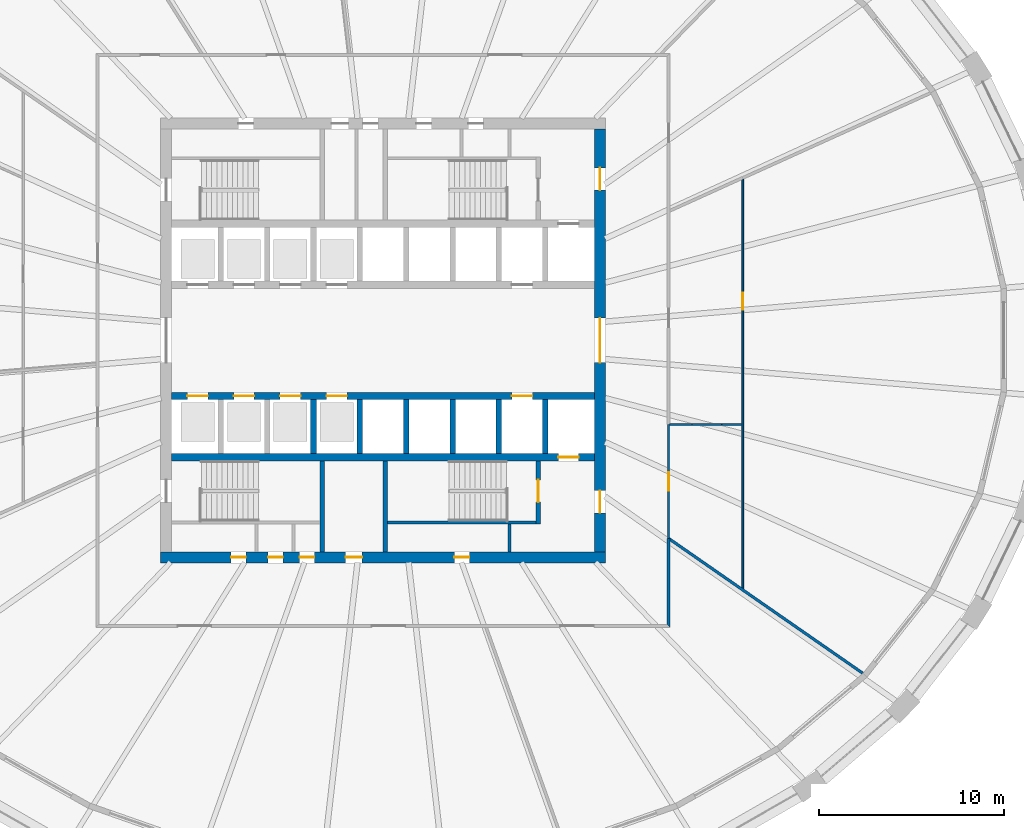
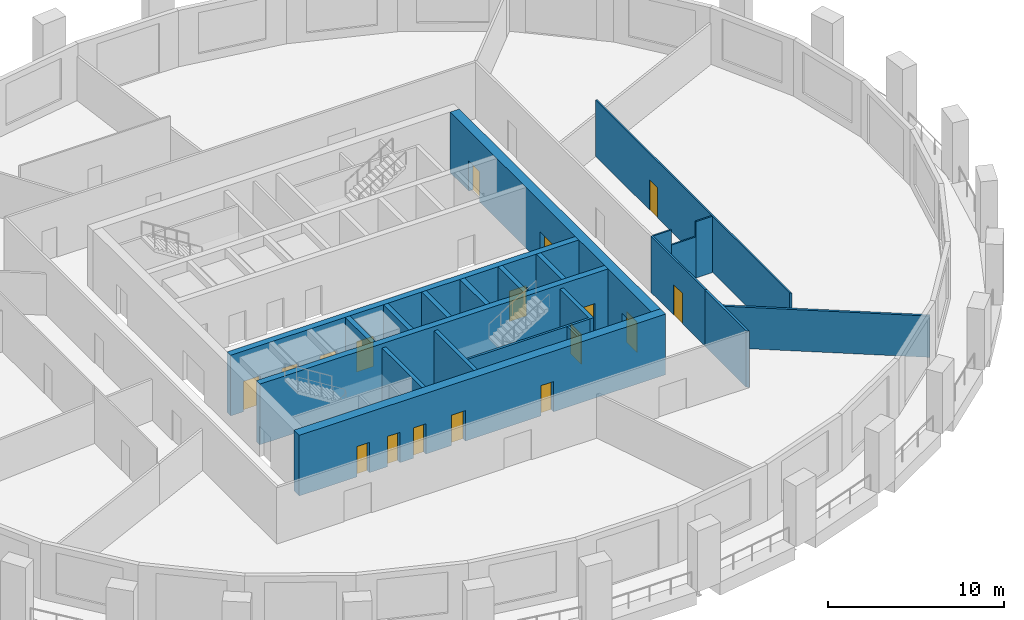
# One storey, part 4 of 10: 22 walls, 17 doors, 17 openings.
"""IFC4 building model written with IfcOpenShell, lengths in metres."""

from ifc_helpers import new_model, si_unit, direction, frame, frame_2d, origin, place, context, subcontext, project, spatial, polyline, rectangle, outline, extrude, material, layer, layer_set, type_object, element, fill, save


model = new_model("IFC4")

# Units and contexts
model_context = context("Model", 3, precision=1e-05, world=origin(), true_north=direction((0.0, 1.0)))
body_context = subcontext(model_context, "Body", "Model", "MODEL_VIEW")
ifc_project = project(units=[si_unit("LENGTHUNIT", "METRE"), si_unit("AREAUNIT", "SQUARE_METRE"), si_unit("VOLUMEUNIT", "CUBIC_METRE"), si_unit("PLANEANGLEUNIT", "RADIAN"), si_unit("MASSUNIT", "GRAM", prefix="KILO")], contexts=[model_context])

# Site, building, storey
site_placement = place(None, origin())
site = spatial("IfcSite", under=ifc_project, at=site_placement, CompositionType="ELEMENT")
building_placement = place(site_placement, origin())
building = spatial("IfcBuilding", under=site, at=building_placement, Name="Halqa Exchange Tower", CompositionType="ELEMENT")
storey_placement = place(building_placement, frame((0.0, 0.0, 90.699951171875)))
storey = spatial("IfcBuildingStorey", under=building, at=storey_placement, Name="L20", CompositionType="ELEMENT", Elevation=90.699951171875)

# Walls
ifc_material_1 = material(Name="Fire-rated gypsum board")
ifc_layer_1 = layer(ifc_material_1, 0.14990234375)
ifc_layer_set_1 = layer_set([ifc_layer_1], Name="Fire-rated gypsum board")
wall_type_1 = type_object("IfcWallType", Name="Fire partition EI 60 150", PredefinedType="PARTITIONING", material=ifc_layer_set_1)
wall_1_placement = place(storey_placement, frame((15.39990234375, -10.679931640625, 0.0), z_axis=(0.0, 0.0, 1.0), x_axis=(0.0, -1.0, 0.0)))
element("IfcWall", 1, at=wall_1_placement, inside=storey, type_object=wall_type_1, Name="L20-PWL-016", PredefinedType="PARTITIONING", context=body_context, shape_type="SweptSolid", body=[
    extrude(outline(polyline([(0.0, -0.074951171875), (1.54833984375, -0.074951171875), (3.0966796875, -0.074951171875), (4.64501953125, -0.074951171875), (4.794921875, 0.074951171875), (3.196533203125, 0.074951171875), (1.598388671875, 0.074951171875), (0.0, 0.074951171875), (0.0, -0.074951171875)])), origin(), (0.0, 0.0, 1.0), 3.900146484375),
])
wall_2_placement = place(storey_placement, frame((15.417724609375, -10.6923828125, 0.0), z_axis=(0.0, 0.0, 1.0), x_axis=(0.821423906774, -0.57031812647, 0.0)))
element("IfcWall", 2, at=wall_2_placement, inside=storey, type_object=wall_type_1, Name="L20-PWL-017", PredefinedType="PARTITIONING", context=body_context, shape_type="SweptSolid", body=[
    extrude(outline(polyline([(0.121826171875, -0.074951171875), (1.921875, -0.074951171875), (3.721923828125, -0.074951171875), (5.52197265625, -0.074951171875), (7.322021484375, -0.074951171875), (9.1220703125, -0.074951171875), (10.922119140625, -0.074951171875), (12.721923828125, -0.074951171875), (12.72216796875, -0.074462890625), (12.72216796875, 0.074951171875), (10.72705078125, 0.074951171875), (8.73193359375, 0.074951171875), (6.736572265625, 0.074951171875), (4.741455078125, 0.074951171875), (4.7373046875, 0.072021484375), (4.735107421875, 0.074951171875), (3.15673828125, 0.074951171875), (1.578369140625, 0.074951171875), (0.0, 0.074951171875), (0.0, 0.07421875), (0.027587890625, 0.0341796875), (0.0400390625, 0.042724609375), (0.121826171875, -0.074951171875)])), origin(), (0.0, 0.0, 1.0), 2.860107421875),
])

# Wall, opening, door
ifc_material_2 = material(Name="Fire-rated glazing", Category="glass")
ifc_layer_2 = layer(ifc_material_2, 0.1201171875)
ifc_layer_set_2 = layer_set([ifc_layer_2], Name="Fire-rated glazing")
wall_type_2 = type_object("IfcWallType", Name="Glazed fire partition EI 60 120", PredefinedType="PARTITIONING", material=ifc_layer_set_2)
wall_3_placement = place(storey_placement, frame((15.39990234375, -4.5400390625, 0.0), z_axis=(0.0, 0.0, 1.0), x_axis=(0.0, -1.0, 0.0)))
wall_3 = element("IfcWall", 3, at=wall_3_placement, inside=storey, type_object=wall_type_2, Name="L20-PWL-018", PredefinedType="PARTITIONING", context=body_context, shape_type="SweptSolid", body=[
    extrude(rectangle(XDim=6.139892578125, YDim=0.1201171875, at=frame_2d((3.06982421875, 0.0))), origin(), (0.0, 0.0, 1.0), 3.900146484375),
])
opening_1_placement = place(wall_3_placement, frame((2.570068359375, 0.0, 0.0)))
opening_1 = element("IfcOpeningElement", 4, at=opening_1_placement, cuts=wall_3, Name="Opening 06-01", PredefinedType="OPENING", context=body_context, shape_type="SweptSolid", body=[
    extrude(rectangle(XDim=1.0, YDim=2.10009765625, at=frame_2d((0.5, 1.050048828125))), frame((0.0, 0.072021484375, 0.0), z_axis=(0.0, -1.0, 0.0), x_axis=(1.0, 0.0, 0.0)), (0.0, 0.0, 1.0), 0.14404296875),
])
ifc_material_3 = material(Name="Steel fire door leaf", Category="steel")
door_type_1 = type_object("IfcDoorType", Name="Fire door FD30S 1000 x 2100", OperationType="SINGLE_SWING_LEFT", PredefinedType="DOOR", material=ifc_material_3)
door_1_placement = place(opening_1_placement, origin())
door_1 = element("IfcDoor", 5, at=door_1_placement, inside=storey, type_object=door_type_1, Name="L20-IDR-001", OperationType="SINGLE_SWING_RIGHT", OverallHeight=2.10009765625, OverallWidth=1.0, PredefinedType="DOOR", context=body_context, shape_type="SweptSolid", body=[
    extrude(rectangle(XDim=1.0, YDim=2.10009765625, at=frame_2d((0.5, 1.050048828125))), frame((0.0, 0.02490234375, 0.0), z_axis=(0.0, -1.0, 0.0), x_axis=(1.0, 0.0, 0.0)), (0.0, 0.0, 1.0), 0.050048828125),
])
fill(opening_1, door_1)

# Wall
ifc_material_4 = material(Name="Gypsum board")
ifc_layer_3 = layer(ifc_material_4, 0.10009765625)
ifc_layer_set_3 = layer_set([ifc_layer_3], Name="Gypsum board")
wall_type_3 = type_object("IfcWallType", Name="Partition 100 gypsum", PredefinedType="PARTITIONING", material=ifc_layer_set_3)
wall_4_placement = place(storey_placement, frame((15.46044921875, -4.5400390625, 0.0), z_axis=(0.0, 0.0, 1.0), x_axis=(1.0, 0.0, 0.0)))
element("IfcWall", 6, at=wall_4_placement, inside=storey, type_object=wall_type_3, Name="L20-PWL-020", PredefinedType="PARTITIONING", context=body_context, shape_type="SweptSolid", body=[
    extrude(outline(polyline([(1.191650390625, 0.050048828125), (0.0146484375, 0.050048828125), (0.0146484375, 0.0), (0.0, 0.0), (0.0, -0.050048828125), (1.191650390625, -0.050048828125), (1.191650390625, 0.050048828125)])), origin(), (0.0, 0.0, 1.0), 3.900146484375),
])

# Wall, opening, door
wall_5_placement = place(storey_placement, frame((19.39990234375, -13.400390625, 0.0), z_axis=(0.0, 0.0, 1.0), x_axis=(0.0, 1.0, 0.0)))
wall_5 = element("IfcWall", 7, at=wall_5_placement, inside=storey, type_object=wall_type_3, Name="L20-PWL-022", PredefinedType="PARTITIONING", context=body_context, shape_type="SweptSolid", body=[
    extrude(outline(polyline([(22.100341796875, -0.050048828125), (22.100341796875, -0.04931640625), (22.093994140625, -0.03564453125), (22.100341796875, -0.03271484375), (22.100341796875, -0.027099609375), (22.0654296875, 0.050048828125), (20.18603515625, 0.050048828125), (18.306884765625, 0.050048828125), (16.427490234375, 0.050048828125), (14.54833984375, 0.050048828125), (12.6689453125, 0.050048828125), (10.789794921875, 0.050048828125), (8.910400390625, 0.050048828125), (8.910400390625, 0.0498046875), (8.810302734375, 0.0498046875), (8.810302734375, 0.050048828125), (7.062255859375, 0.050048828125), (5.31396484375, 0.050048828125), (3.565673828125, 0.050048828125), (1.8173828125, 0.050048828125), (0.069091796875, 0.050048828125), (0.0, -0.049560546875), (0.0, -0.050048828125), (1.841796875, -0.050048828125), (3.683349609375, -0.050048828125), (5.525146484375, -0.050048828125), (7.36669921875, -0.050048828125), (9.20849609375, -0.050048828125), (11.05029296875, -0.050048828125), (12.891845703125, -0.050048828125), (14.733642578125, -0.050048828125), (16.5751953125, -0.050048828125), (18.4169921875, -0.050048828125), (20.258544921875, -0.050048828125), (22.100341796875, -0.050048828125)])), origin(), (0.0, 0.0, 1.0), 3.900146484375),
])
opening_2_placement = place(wall_5_placement, frame((15.060546875, 0.0, 0.0)))
opening_2 = element("IfcOpeningElement", 8, at=opening_2_placement, cuts=wall_5, Name="Opening 06-12", PredefinedType="OPENING", context=body_context, shape_type="SweptSolid", body=[
    extrude(rectangle(XDim=0.89990234375, YDim=2.10009765625, at=frame_2d((0.449951171875, 1.050048828125))), frame((0.0, 0.06201171875, 0.0), z_axis=(0.0, -1.0, 0.0), x_axis=(1.0, 0.0, 0.0)), (0.0, 0.0, 1.0), 0.1240234375),
])
ifc_material_5 = material(Name="Timber door leaf", Category="wood")
door_type_2 = type_object("IfcDoorType", Name="Door 900 x 2100", OperationType="SINGLE_SWING_LEFT", PredefinedType="DOOR", material=ifc_material_5)
door_2_placement = place(opening_2_placement, origin())
door_2 = element("IfcDoor", 9, at=door_2_placement, inside=storey, type_object=door_type_2, Name="L20-IDR-012", OperationType="SINGLE_SWING_LEFT", OverallHeight=2.10009765625, OverallWidth=0.89990234375, PredefinedType="DOOR", context=body_context, shape_type="SweptSolid", body=[
    extrude(rectangle(XDim=0.89990234375, YDim=2.10009765625, at=frame_2d((0.449951171875, 1.050048828125))), frame((0.0, 0.02490234375, 0.0), z_axis=(0.0, -1.0, 0.0), x_axis=(1.0, 0.0, 0.0)), (0.0, 0.0, 1.0), 0.050048828125),
])
fill(opening_2, door_2)

# Walls
wall_6_placement = place(storey_placement, frame((16.652099609375, -4.5400390625, 0.0), z_axis=(0.0, 0.0, 1.0), x_axis=(1.0, 0.0, 0.0)))
element("IfcWall", 10, at=wall_6_placement, inside=storey, type_object=wall_type_3, Name="L20-PWL-025", PredefinedType="PARTITIONING", context=body_context, shape_type="SweptSolid", body=[
    extrude(outline(polyline([(0.0, 0.050048828125), (0.0, -0.050048828125), (1.616943359375, -0.050048828125), (1.616943359375, 0.050048828125), (0.0, 0.050048828125)])), origin(), (0.0, 0.0, 1.0), 2.85009765625),
])
wall_7_placement = place(storey_placement, frame((18.26904296875, -4.5400390625, 0.0), z_axis=(0.0, 0.0, 1.0), x_axis=(1.0, 0.0, 0.0)))
element("IfcWall", 11, at=wall_7_placement, inside=storey, type_object=wall_type_3, Name="L20-PWL-026", PredefinedType="PARTITIONING", context=body_context, shape_type="SweptSolid", body=[
    extrude(outline(polyline([(0.0, -0.050048828125), (1.0810546875, -0.050048828125), (1.0810546875, 0.050048828125), (0.0, 0.050048828125), (0.0, -0.050048828125)])), origin(), (0.0, 0.0, 1.0), 3.900146484375),
])
ifc_layer_4 = layer(ifc_material_4, 0.14990234375)
ifc_layer_set_4 = layer_set([ifc_layer_4], Name="Gypsum board")
wall_type_4 = type_object("IfcWallType", Name="Penthouse riser wall 150 gypsum", PredefinedType="PARTITIONING", material=ifc_layer_set_4)
wall_8_placement = place(storey_placement, frame((6.824951171875, -11.39990234375, 0.0), z_axis=(0.0, 0.0, 1.0), x_axis=(0.0, 1.0, 0.0)))
element("IfcWall", 12, at=wall_8_placement, inside=storey, type_object=wall_type_4, Name="Firefighting lobby west wall S", PredefinedType="PARTITIONING", context=body_context, shape_type="SweptSolid", body=[
    extrude(rectangle(XDim=1.5, YDim=0.14990234375, at=frame_2d((0.75, 0.0))), origin(), (0.0, 0.0, 1.0), 3.900146484375),
])
ifc_material_6 = material(Name="Concrete C60/75", Category="concrete")
ifc_layer_5 = layer(ifc_material_6, 0.300048828125)
ifc_layer_set_5 = layer_set([ifc_layer_5], Name="Concrete C60/75")
wall_type_5 = type_object("IfcWallType", Name="RC core wall 300", PredefinedType="SHEAR", material=ifc_layer_set_5)
for number, where, z_axis, x_axis, name in (
    (13, (-3.75, -6.10009765625, 0.0), (0.0, 0.0, 1.0), (0.0, 1.0, 0.0), "Shaft divider S3"),
    (14, (-1.25, -6.10009765625, 0.0), (0.0, 0.0, 1.0), (0.0, 1.0, 0.0), "Shaft divider S4"),
    (15, (1.25, -6.10009765625, 0.0), (0.0, 0.0, 1.0), (0.0, 1.0, 0.0), "Shaft divider S5"),
    (16, (3.75, -6.10009765625, 0.0), (0.0, 0.0, 1.0), (0.0, 1.0, 0.0), "Shaft divider S6"),
    (17, (6.25, -6.10009765625, 0.0), (0.0, 0.0, 1.0), (0.0, 1.0, 0.0), "Shaft divider S7"),
    (18, (8.75, -6.10009765625, 0.0), (0.0, 0.0, 1.0), (0.0, 1.0, 0.0), "Shaft divider S8"),
):
    element("IfcWall", number, at=place(storey_placement, frame(where, z_axis=z_axis, x_axis=x_axis)), inside=storey, type_object=wall_type_5, Name=name, PredefinedType="SHEAR", context=body_context, shape_type="SweptSolid", body=[
        extrude(rectangle(XDim=2.900146484375, YDim=0.300048828125, at=frame_2d((1.4501953125, 0.0))), origin(), (0.0, 0.0, 1.0), 4.199951171875),
    ])

# Wall, openings, doors
ifc_material_7 = material(Name="Concrete C80/95", Category="concrete")
ifc_layer_6 = layer(ifc_material_7, 0.39990234375)
ifc_layer_set_6 = layer_set([ifc_layer_6], Name="Concrete C80/95")
wall_type_6 = type_object("IfcWallType", Name="RC core wall 400 C80/95", PredefinedType="SHEAR", material=ifc_layer_set_6)
wall_9_placement = place(storey_placement, frame((-11.39990234375, -3.0, 0.0), z_axis=(0.0, 0.0, 1.0), x_axis=(1.0, 0.0, 0.0)))
wall_9 = element("IfcWall", 19, at=wall_9_placement, inside=storey, type_object=wall_type_6, Name="Lift row front wall S", PredefinedType="SHEAR", context=body_context, shape_type="SweptSolid", body=[
    extrude(rectangle(XDim=22.7998046875, YDim=0.39990234375, at=frame_2d((11.39990234375, 0.0))), origin(), (0.0, 0.0, 1.0), 4.199951171875),
])
opening_3_placement = place(wall_9_placement, frame((0.85009765625, 0.0, 0.0)))
opening_3 = element("IfcOpeningElement", 20, at=opening_3_placement, cuts=wall_9, Name="Opening LD-LR5-T06", PredefinedType="OPENING", context=body_context, shape_type="SweptSolid", body=[
    extrude(rectangle(XDim=1.10009765625, YDim=2.10009765625, at=frame_2d((0.550048828125, 1.050048828125))), frame((0.0, 0.2119140625, 0.0), z_axis=(0.0, -1.0, 0.0), x_axis=(1.0, 0.0, 0.0)), (0.0, 0.0, 1.0), 0.423828125),
])
opening_4_placement = place(wall_9_placement, frame((3.35009765625, 0.0, 0.0)))
opening_4 = element("IfcOpeningElement", 21, at=opening_4_placement, cuts=wall_9, Name="Opening LD-LR6-T06", PredefinedType="OPENING", context=body_context, shape_type="SweptSolid", body=[
    extrude(rectangle(XDim=1.10009765625, YDim=2.10009765625, at=frame_2d((0.550048828125, 1.050048828125))), frame((0.0, 0.2119140625, 0.0), z_axis=(0.0, -1.0, 0.0), x_axis=(1.0, 0.0, 0.0)), (0.0, 0.0, 1.0), 0.423828125),
])
opening_5_placement = place(wall_9_placement, frame((5.85009765625, 0.0, 0.0)))
opening_5 = element("IfcOpeningElement", 22, at=opening_5_placement, cuts=wall_9, Name="Opening LD-LR7-T06", PredefinedType="OPENING", context=body_context, shape_type="SweptSolid", body=[
    extrude(rectangle(XDim=1.10009765625, YDim=2.10009765625, at=frame_2d((0.550048828125, 1.050048828125))), frame((0.0, 0.2119140625, 0.0), z_axis=(0.0, -1.0, 0.0), x_axis=(1.0, 0.0, 0.0)), (0.0, 0.0, 1.0), 0.423828125),
])
opening_6_placement = place(wall_9_placement, frame((8.35009765625, 0.0, 0.0)))
opening_6 = element("IfcOpeningElement", 23, at=opening_6_placement, cuts=wall_9, Name="Opening LD-LR8-T06", PredefinedType="OPENING", context=body_context, shape_type="SweptSolid", body=[
    extrude(rectangle(XDim=1.10009765625, YDim=2.10009765625, at=frame_2d((0.550048828125, 1.050048828125))), frame((0.0, 0.2119140625, 0.0), z_axis=(0.0, -1.0, 0.0), x_axis=(1.0, 0.0, 0.0)), (0.0, 0.0, 1.0), 0.423828125),
])
opening_7_placement = place(wall_9_placement, frame((18.35009765625, 0.0, 0.0)))
opening_7 = element("IfcOpeningElement", 24, at=opening_7_placement, cuts=wall_9, Name="Opening LD-SV2-T06", PredefinedType="OPENING", context=body_context, shape_type="SweptSolid", body=[
    extrude(rectangle(XDim=1.10009765625, YDim=2.10009765625, at=frame_2d((0.550048828125, 1.050048828125))), frame((0.0, 0.2119140625, 0.0), z_axis=(0.0, -1.0, 0.0), x_axis=(1.0, 0.0, 0.0)), (0.0, 0.0, 1.0), 0.423828125),
])
ifc_material_8 = material(Name="Stainless steel", Category="steel")
door_type_3 = type_object("IfcDoorType", Name="Lift landing door 1100 x 2100", OperationType="SLIDING_TO_LEFT", PredefinedType="DOOR", material=ifc_material_8)
door_3_placement = place(opening_3_placement, origin())
door_3 = element("IfcDoor", 25, at=door_3_placement, inside=storey, type_object=door_type_3, Name="Lift landing door LR5", OperationType="SLIDING_TO_LEFT", OverallHeight=2.10009765625, OverallWidth=1.10009765625, PredefinedType="DOOR", context=body_context, shape_type="SweptSolid", body=[
    extrude(rectangle(XDim=1.10009765625, YDim=2.10009765625, at=frame_2d((0.550048828125, 1.050048828125))), frame((0.0, 0.02490234375, 0.0), z_axis=(0.0, -1.0, 0.0), x_axis=(1.0, 0.0, 0.0)), (0.0, 0.0, 1.0), 0.050048828125),
])
fill(opening_3, door_3)
door_4_placement = place(opening_4_placement, origin())
door_4 = element("IfcDoor", 26, at=door_4_placement, inside=storey, type_object=door_type_3, Name="Lift landing door LR6", OperationType="SLIDING_TO_LEFT", OverallHeight=2.10009765625, OverallWidth=1.10009765625, PredefinedType="DOOR", context=body_context, shape_type="SweptSolid", body=[
    extrude(rectangle(XDim=1.10009765625, YDim=2.10009765625, at=frame_2d((0.550048828125, 1.050048828125))), frame((0.0, 0.02490234375, 0.0), z_axis=(0.0, -1.0, 0.0), x_axis=(1.0, 0.0, 0.0)), (0.0, 0.0, 1.0), 0.050048828125),
])
fill(opening_4, door_4)
door_5_placement = place(opening_5_placement, origin())
door_5 = element("IfcDoor", 27, at=door_5_placement, inside=storey, type_object=door_type_3, Name="Lift landing door LR7", OperationType="SLIDING_TO_LEFT", OverallHeight=2.10009765625, OverallWidth=1.10009765625, PredefinedType="DOOR", context=body_context, shape_type="SweptSolid", body=[
    extrude(rectangle(XDim=1.10009765625, YDim=2.10009765625, at=frame_2d((0.550048828125, 1.050048828125))), frame((0.0, 0.02490234375, 0.0), z_axis=(0.0, -1.0, 0.0), x_axis=(1.0, 0.0, 0.0)), (0.0, 0.0, 1.0), 0.050048828125),
])
fill(opening_5, door_5)
door_6_placement = place(opening_6_placement, origin())
door_6 = element("IfcDoor", 28, at=door_6_placement, inside=storey, type_object=door_type_3, Name="Lift landing door LR8", OperationType="SLIDING_TO_LEFT", OverallHeight=2.10009765625, OverallWidth=1.10009765625, PredefinedType="DOOR", context=body_context, shape_type="SweptSolid", body=[
    extrude(rectangle(XDim=1.10009765625, YDim=2.10009765625, at=frame_2d((0.550048828125, 1.050048828125))), frame((0.0, 0.02490234375, 0.0), z_axis=(0.0, -1.0, 0.0), x_axis=(1.0, 0.0, 0.0)), (0.0, 0.0, 1.0), 0.050048828125),
])
fill(opening_6, door_6)
door_7_placement = place(opening_7_placement, origin())
door_7 = element("IfcDoor", 29, at=door_7_placement, inside=storey, type_object=door_type_3, Name="Lift landing door SV2", OperationType="SLIDING_TO_LEFT", OverallHeight=2.10009765625, OverallWidth=1.10009765625, PredefinedType="DOOR", context=body_context, shape_type="SweptSolid", body=[
    extrude(rectangle(XDim=1.10009765625, YDim=2.10009765625, at=frame_2d((0.550048828125, 1.050048828125))), frame((0.0, 0.02490234375, 0.0), z_axis=(0.0, -1.0, 0.0), x_axis=(1.0, 0.0, 0.0)), (0.0, 0.0, 1.0), 0.050048828125),
])
fill(opening_7, door_7)

# Wall, opening, door
wall_10_placement = place(storey_placement, frame((-11.39990234375, -6.300048828125, 0.0), z_axis=(0.0, 0.0, 1.0), x_axis=(1.0, 0.0, 0.0)))
wall_10 = element("IfcWall", 30, at=wall_10_placement, inside=storey, type_object=wall_type_6, Name="Lift row back wall S", PredefinedType="SHEAR", context=body_context, shape_type="SweptSolid", body=[
    extrude(rectangle(XDim=22.7998046875, YDim=0.39990234375, at=frame_2d((11.39990234375, 0.0))), origin(), (0.0, 0.0, 1.0), 4.199951171875),
])
opening_8_placement = place(wall_10_placement, frame((20.85009765625, 0.0, 0.0)))
opening_8 = element("IfcOpeningElement", 31, at=opening_8_placement, cuts=wall_10, Name="Opening LD-FF2-T06", PredefinedType="OPENING", context=body_context, shape_type="SweptSolid", body=[
    extrude(rectangle(XDim=1.10009765625, YDim=2.10009765625, at=frame_2d((0.550048828125, 1.050048828125))), frame((0.0, 0.2119140625, 0.0), z_axis=(0.0, -1.0, 0.0), x_axis=(1.0, 0.0, 0.0)), (0.0, 0.0, 1.0), 0.423828125),
])
door_8_placement = place(opening_8_placement, origin())
door_8 = element("IfcDoor", 32, at=door_8_placement, inside=storey, type_object=door_type_3, Name="Lift landing door FF2", OperationType="SLIDING_TO_LEFT", OverallHeight=2.10009765625, OverallWidth=1.10009765625, PredefinedType="DOOR", context=body_context, shape_type="SweptSolid", body=[
    extrude(rectangle(XDim=1.10009765625, YDim=2.10009765625, at=frame_2d((0.550048828125, 1.050048828125))), frame((0.0, 0.02490234375, 0.0), z_axis=(0.0, -1.0, 0.0), x_axis=(1.0, 0.0, 0.0)), (0.0, 0.0, 1.0), 0.050048828125),
])
fill(opening_8, door_8)

# Wall, openings, doors
ifc_layer_7 = layer(ifc_material_7, 0.60009765625)
ifc_layer_set_7 = layer_set([ifc_layer_7], Name="Concrete C80/95")
wall_type_7 = type_object("IfcWallType", Name="RC core wall 600 C80/95", PredefinedType="SHEAR", material=ifc_layer_set_7)
wall_11_placement = place(storey_placement, frame((-12.0, -11.699951171875, 0.0), z_axis=(0.0, 0.0, 1.0), x_axis=(1.0, 0.0, 0.0)))
wall_11 = element("IfcWall", 33, at=wall_11_placement, inside=storey, type_object=wall_type_7, Name="Core wall south", PredefinedType="SHEAR", context=body_context, shape_type="SweptSolid", body=[
    extrude(rectangle(XDim=24.0, YDim=0.60009765625, at=frame_2d((12.0, 0.0))), origin(), (0.0, 0.0, 1.0), 4.199951171875),
])
opening_9_placement = place(wall_11_placement, frame((9.97509765625, 0.0, 0.0)))
opening_9 = element("IfcOpeningElement", 34, at=opening_9_placement, cuts=wall_11, Name="Opening T06-C26", PredefinedType="OPENING", context=body_context, shape_type="SweptSolid", body=[
    extrude(rectangle(XDim=0.89990234375, YDim=2.10009765625, at=frame_2d((0.449951171875, 1.050048828125))), frame((0.0, 0.31201171875, 0.0), z_axis=(0.0, -1.0, 0.0), x_axis=(1.0, 0.0, 0.0)), (0.0, 0.0, 1.0), 0.6240234375),
])
opening_10_placement = place(wall_11_placement, frame((3.800048828125, 0.0, 0.0)))
opening_10 = element("IfcOpeningElement", 35, at=opening_10_placement, cuts=wall_11, Name="Opening T06-C27", PredefinedType="OPENING", context=body_context, shape_type="SweptSolid", body=[
    extrude(rectangle(XDim=0.800048828125, YDim=2.10009765625, at=frame_2d((0.39990234375, 1.050048828125))), frame((0.0, 0.31201171875, 0.0), z_axis=(0.0, -1.0, 0.0), x_axis=(1.0, 0.0, 0.0)), (0.0, 0.0, 1.0), 0.6240234375),
])
opening_11_placement = place(wall_11_placement, frame((5.800048828125, 0.0, 0.0)))
opening_11 = element("IfcOpeningElement", 36, at=opening_11_placement, cuts=wall_11, Name="Opening T06-C28", PredefinedType="OPENING", context=body_context, shape_type="SweptSolid", body=[
    extrude(rectangle(XDim=0.800048828125, YDim=2.10009765625, at=frame_2d((0.39990234375, 1.050048828125))), frame((0.0, 0.31201171875, 0.0), z_axis=(0.0, -1.0, 0.0), x_axis=(1.0, 0.0, 0.0)), (0.0, 0.0, 1.0), 0.6240234375),
])
opening_12_placement = place(wall_11_placement, frame((7.5, 0.0, 0.0)))
opening_12 = element("IfcOpeningElement", 37, at=opening_12_placement, cuts=wall_11, Name="Opening T06-C29", PredefinedType="OPENING", context=body_context, shape_type="SweptSolid", body=[
    extrude(rectangle(XDim=0.800048828125, YDim=2.10009765625, at=frame_2d((0.39990234375, 1.050048828125))), frame((0.0, 0.31201171875, 0.0), z_axis=(0.0, -1.0, 0.0), x_axis=(1.0, 0.0, 0.0)), (0.0, 0.0, 1.0), 0.6240234375),
])
opening_13_placement = place(wall_11_placement, frame((15.85009765625, 0.0, 0.0)))
opening_13 = element("IfcOpeningElement", 38, at=opening_13_placement, cuts=wall_11, Name="Opening T06-C30", PredefinedType="OPENING", context=body_context, shape_type="SweptSolid", body=[
    extrude(rectangle(XDim=0.800048828125, YDim=2.10009765625, at=frame_2d((0.39990234375, 1.050048828125))), frame((0.0, 0.31201171875, 0.0), z_axis=(0.0, -1.0, 0.0), x_axis=(1.0, 0.0, 0.0)), (0.0, 0.0, 1.0), 0.6240234375),
])
ifc_material_9 = material(Name="Timber fire door leaf", Category="wood")
door_type_4 = type_object("IfcDoorType", Name="Core room door FD30 900 x 2100", OperationType="SINGLE_SWING_LEFT", PredefinedType="DOOR", material=ifc_material_9)
door_9_placement = place(opening_9_placement, origin())
door_9 = element("IfcDoor", 39, at=door_9_placement, inside=storey, type_object=door_type_4, Name="Core room door", OperationType="SINGLE_SWING_LEFT", OverallHeight=2.10009765625, OverallWidth=0.89990234375, PredefinedType="DOOR", context=body_context, shape_type="SweptSolid", body=[
    extrude(rectangle(XDim=0.89990234375, YDim=2.10009765625, at=frame_2d((0.449951171875, 1.050048828125))), frame((0.0, 0.02490234375, 0.0), z_axis=(0.0, -1.0, 0.0), x_axis=(1.0, 0.0, 0.0)), (0.0, 0.0, 1.0), 0.050048828125),
])
fill(opening_9, door_9)
door_type_5 = type_object("IfcDoorType", Name="Riser door FD60 800 x 2100", OperationType="SINGLE_SWING_LEFT", PredefinedType="DOOR", material=ifc_material_3)
door_10_placement = place(opening_10_placement, origin())
door_10 = element("IfcDoor", 40, at=door_10_placement, inside=storey, type_object=door_type_5, Name="Core room door", OperationType="SINGLE_SWING_LEFT", OverallHeight=2.10009765625, OverallWidth=0.800048828125, PredefinedType="DOOR", context=body_context, shape_type="SweptSolid", body=[
    extrude(rectangle(XDim=0.800048828125, YDim=2.10009765625, at=frame_2d((0.39990234375, 1.050048828125))), frame((0.0, 0.02490234375, 0.0), z_axis=(0.0, -1.0, 0.0), x_axis=(1.0, 0.0, 0.0)), (0.0, 0.0, 1.0), 0.050048828125),
])
fill(opening_10, door_10)
door_11_placement = place(opening_11_placement, origin())
door_11 = element("IfcDoor", 41, at=door_11_placement, inside=storey, type_object=door_type_5, Name="Core room door", OperationType="SINGLE_SWING_RIGHT", OverallHeight=2.10009765625, OverallWidth=0.800048828125, PredefinedType="DOOR", context=body_context, shape_type="SweptSolid", body=[
    extrude(rectangle(XDim=0.800048828125, YDim=2.10009765625, at=frame_2d((0.39990234375, 1.050048828125))), frame((0.0, 0.02490234375, 0.0), z_axis=(0.0, -1.0, 0.0), x_axis=(1.0, 0.0, 0.0)), (0.0, 0.0, 1.0), 0.050048828125),
])
fill(opening_11, door_11)
door_12_placement = place(opening_12_placement, origin())
door_12 = element("IfcDoor", 42, at=door_12_placement, inside=storey, type_object=door_type_5, Name="Core room door", OperationType="SINGLE_SWING_RIGHT", OverallHeight=2.10009765625, OverallWidth=0.800048828125, PredefinedType="DOOR", context=body_context, shape_type="SweptSolid", body=[
    extrude(rectangle(XDim=0.800048828125, YDim=2.10009765625, at=frame_2d((0.39990234375, 1.050048828125))), frame((0.0, 0.02490234375, 0.0), z_axis=(0.0, -1.0, 0.0), x_axis=(1.0, 0.0, 0.0)), (0.0, 0.0, 1.0), 0.050048828125),
])
fill(opening_12, door_12)
door_13_placement = place(opening_13_placement, origin())
door_13 = element("IfcDoor", 43, at=door_13_placement, inside=storey, type_object=door_type_5, Name="Core room door", OperationType="SINGLE_SWING_LEFT", OverallHeight=2.10009765625, OverallWidth=0.800048828125, PredefinedType="DOOR", context=body_context, shape_type="SweptSolid", body=[
    extrude(rectangle(XDim=0.800048828125, YDim=2.10009765625, at=frame_2d((0.39990234375, 1.050048828125))), frame((0.0, 0.02490234375, 0.0), z_axis=(0.0, -1.0, 0.0), x_axis=(1.0, 0.0, 0.0)), (0.0, 0.0, 1.0), 0.050048828125),
])
fill(opening_13, door_13)

wall_12_placement = place(storey_placement, frame((11.699951171875, -11.39990234375, 0.0), z_axis=(0.0, 0.0, 1.0), x_axis=(0.0, 1.0, 0.0)))
wall_12 = element("IfcWall", 44, at=wall_12_placement, inside=storey, type_object=wall_type_7, Name="Core wall east", PredefinedType="SHEAR", context=body_context, shape_type="SweptSolid", body=[
    extrude(rectangle(XDim=22.7998046875, YDim=0.60009765625, at=frame_2d((11.39990234375, 0.0))), origin(), (0.0, 0.0, 1.0), 4.199951171875),
])
opening_14_placement = place(wall_12_placement, frame((10.199951171875, 0.0, 0.0)))
opening_14 = element("IfcOpeningElement", 45, at=opening_14_placement, cuts=wall_12, Name="Opening T06-C14", PredefinedType="OPENING", context=body_context, shape_type="SweptSolid", body=[
    extrude(rectangle(XDim=2.39990234375, YDim=2.10009765625, at=frame_2d((1.199951171875, 1.050048828125))), frame((0.0, 0.31201171875, 0.0), z_axis=(0.0, -1.0, 0.0), x_axis=(1.0, 0.0, 0.0)), (0.0, 0.0, 1.0), 0.6240234375),
])
opening_15_placement = place(wall_12_placement, frame((19.5, 0.0, 0.0)))
opening_15 = element("IfcOpeningElement", 46, at=opening_15_placement, cuts=wall_12, Name="Opening T06-C19", PredefinedType="OPENING", context=body_context, shape_type="SweptSolid", body=[
    extrude(rectangle(XDim=1.199951171875, YDim=2.10009765625, at=frame_2d((0.60009765625, 1.050048828125))), frame((0.0, 0.31201171875, 0.0), z_axis=(0.0, -1.0, 0.0), x_axis=(1.0, 0.0, 0.0)), (0.0, 0.0, 1.0), 0.6240234375),
])
opening_16_placement = place(wall_12_placement, frame((2.10009765625, 0.0, 0.0)))
opening_16 = element("IfcOpeningElement", 47, at=opening_16_placement, cuts=wall_12, Name="Opening T06-C20", PredefinedType="OPENING", context=body_context, shape_type="SweptSolid", body=[
    extrude(rectangle(XDim=1.199951171875, YDim=2.10009765625, at=frame_2d((0.60009765625, 1.050048828125))), frame((0.0, 0.31201171875, 0.0), z_axis=(0.0, -1.0, 0.0), x_axis=(1.0, 0.0, 0.0)), (0.0, 0.0, 1.0), 0.6240234375),
])
door_type_6 = type_object("IfcDoorType", Name="Firefighting lobby door FD90 1200 x 2100", OperationType="SINGLE_SWING_RIGHT", PredefinedType="DOOR", material=ifc_material_3)
door_14_placement = place(opening_15_placement, origin())
door_14 = element("IfcDoor", 48, at=door_14_placement, inside=storey, type_object=door_type_6, Name="Firefighting lobby door", OperationType="SINGLE_SWING_RIGHT", OverallHeight=2.10009765625, OverallWidth=1.199951171875, PredefinedType="DOOR", context=body_context, shape_type="SweptSolid", body=[
    extrude(rectangle(XDim=1.199951171875, YDim=2.10009765625, at=frame_2d((0.60009765625, 1.050048828125))), frame((0.0, 0.02490234375, 0.0), z_axis=(0.0, -1.0, 0.0), x_axis=(1.0, 0.0, 0.0)), (0.0, 0.0, 1.0), 0.050048828125),
])
fill(opening_15, door_14)
door_15_placement = place(opening_16_placement, origin())
door_15 = element("IfcDoor", 49, at=door_15_placement, inside=storey, type_object=door_type_6, Name="Firefighting lobby door", OperationType="SINGLE_SWING_LEFT", OverallHeight=2.10009765625, OverallWidth=1.199951171875, PredefinedType="DOOR", context=body_context, shape_type="SweptSolid", body=[
    extrude(rectangle(XDim=1.199951171875, YDim=2.10009765625, at=frame_2d((0.60009765625, 1.050048828125))), frame((0.0, 0.02490234375, 0.0), z_axis=(0.0, -1.0, 0.0), x_axis=(1.0, 0.0, 0.0)), (0.0, 0.0, 1.0), 0.050048828125),
])
fill(opening_16, door_15)
door_type_7 = type_object("IfcDoorType", Name="Lobby double door FD60 2400 x 2100", OperationType="DOUBLE_DOOR_SINGLE_SWING", PredefinedType="DOOR", material=ifc_material_3)
door_16_placement = place(opening_14_placement, origin())
door_16 = element("IfcDoor", 50, at=door_16_placement, inside=storey, type_object=door_type_7, Name="Lift lobby double door", OperationType="DOUBLE_DOOR_SINGLE_SWING", OverallHeight=2.10009765625, OverallWidth=2.39990234375, PredefinedType="DOOR", context=body_context, shape_type="SweptSolid", body=[
    extrude(rectangle(XDim=2.39990234375, YDim=2.10009765625, at=frame_2d((1.199951171875, 1.050048828125))), frame((0.0, 0.02490234375, 0.0), z_axis=(0.0, -1.0, 0.0), x_axis=(1.0, 0.0, 0.0)), (0.0, 0.0, 1.0), 0.050048828125),
])
fill(opening_14, door_16)

# Walls
ifc_material_10 = material(Name="Concrete C30/37", Category="concrete")
ifc_layer_8 = layer(ifc_material_10, 0.14990234375)
ifc_layer_set_8 = layer_set([ifc_layer_8], Name="Concrete C30/37")
wall_type_8 = type_object("IfcWallType", Name="RC stair wall 150 C30/37", PredefinedType="SHEAR", material=ifc_layer_set_8)
wall_13_placement = place(storey_placement, frame((0.25, -9.824951171875, 0.0), z_axis=(0.0, 0.0, 1.0), x_axis=(1.0, 0.0, 0.0)))
element("IfcWall", 51, at=wall_13_placement, inside=storey, type_object=wall_type_8, Name="Stair ST2 north wall S", PredefinedType="SHEAR", context=body_context, shape_type="SweptSolid", body=[
    extrude(rectangle(XDim=8.0, YDim=0.14990234375, at=frame_2d((4.0, 0.0))), origin(), (0.0, 0.0, 1.0), 3.900146484375),
])
ifc_layer_9 = layer(ifc_material_10, 0.25)
ifc_layer_set_9 = layer_set([ifc_layer_9], Name="Concrete C30/37")
wall_type_9 = type_object("IfcWallType", Name="RC stair wall 250 C30/37", PredefinedType="SHEAR", material=ifc_layer_set_9)
for number, where, z_axis, x_axis, name in (
    (52, (-3.27490234375, -11.39990234375, 0.0), (0.0, 0.0, 1.0), (0.0, 1.0, 0.0), "Stair ST1 east wall S"),
    (53, (0.125, -11.39990234375, 0.0), (0.0, 0.0, 1.0), (0.0, 1.0, 0.0), "Stair ST2 west wall S"),
):
    element("IfcWall", number, at=place(storey_placement, frame(where, z_axis=z_axis, x_axis=x_axis)), inside=storey, type_object=wall_type_9, Name=name, PredefinedType="SHEAR", context=body_context, shape_type="SweptSolid", body=[
        extrude(rectangle(XDim=4.89990234375, YDim=0.25, at=frame_2d((2.449951171875, 0.0))), origin(), (0.0, 0.0, 1.0), 3.900146484375),
    ])

# Wall, opening, door
wall_14_placement = place(storey_placement, frame((8.375, -9.89990234375, 0.0), z_axis=(0.0, 0.0, 1.0), x_axis=(0.0, 1.0, 0.0)))
wall_14 = element("IfcWall", 54, at=wall_14_placement, inside=storey, type_object=wall_type_9, Name="Stair ST2 east wall S", PredefinedType="SHEAR", context=body_context, shape_type="SweptSolid", body=[
    extrude(rectangle(XDim=3.39990234375, YDim=0.25, at=frame_2d((1.699951171875, 0.0))), origin(), (0.0, 0.0, 1.0), 3.900146484375),
])
opening_17_placement = place(wall_14_placement, frame((1.175048828125, 0.0, 0.0)))
opening_17 = element("IfcOpeningElement", 55, at=opening_17_placement, cuts=wall_14, Name="Opening T06-C18", PredefinedType="OPENING", context=body_context, shape_type="SweptSolid", body=[
    extrude(rectangle(XDim=1.199951171875, YDim=2.10009765625, at=frame_2d((0.60009765625, 1.050048828125))), frame((0.0, 0.136962890625, 0.0), z_axis=(0.0, -1.0, 0.0), x_axis=(1.0, 0.0, 0.0)), (0.0, 0.0, 1.0), 0.27392578125),
])
door_type_8 = type_object("IfcDoorType", Name="Stair door FD90 1200 x 2100", OperationType="SINGLE_SWING_LEFT", PredefinedType="DOOR", material=ifc_material_3)
door_17_placement = place(opening_17_placement, origin())
door_17 = element("IfcDoor", 56, at=door_17_placement, inside=storey, type_object=door_type_8, Name="Stair door ST4", OperationType="SINGLE_SWING_LEFT", OverallHeight=2.10009765625, OverallWidth=1.199951171875, PredefinedType="DOOR", context=body_context, shape_type="SweptSolid", body=[
    extrude(rectangle(XDim=1.199951171875, YDim=2.10009765625, at=frame_2d((0.60009765625, 1.050048828125))), frame((0.0, 0.02490234375, 0.0), z_axis=(0.0, -1.0, 0.0), x_axis=(1.0, 0.0, 0.0)), (0.0, 0.0, 1.0), 0.050048828125),
])
fill(opening_17, door_17)

save(model, "model.ifc")
